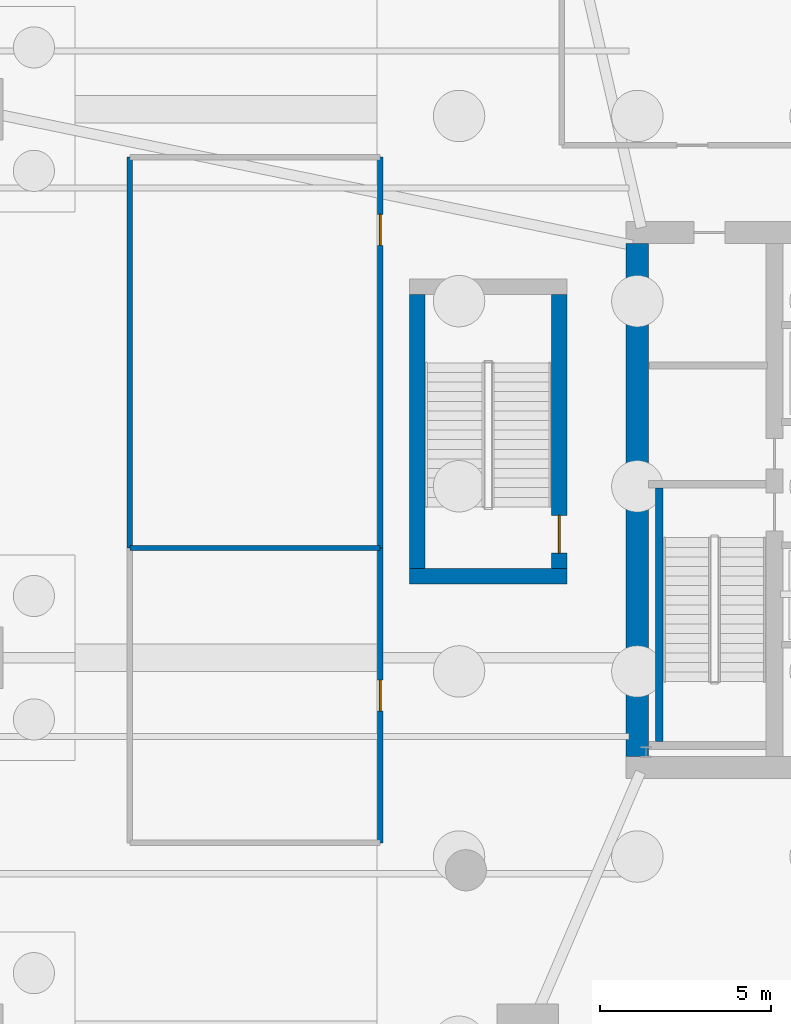
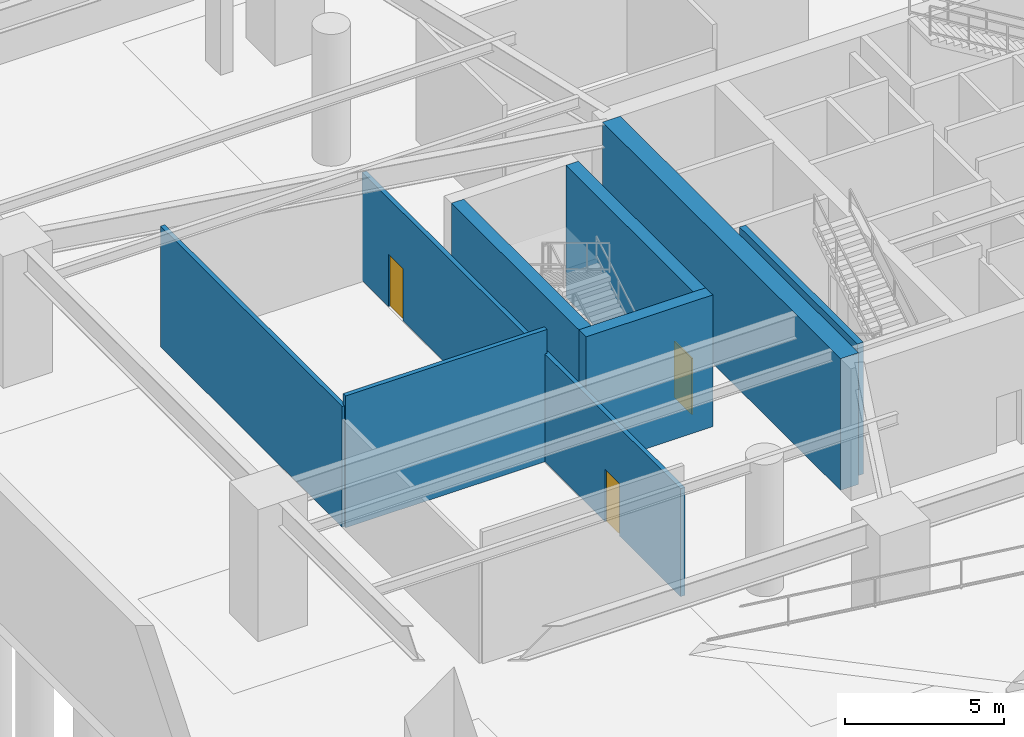
# One storey, part 4 of 11: 9 walls, 3 doors, 3 openings.
"""IFC4 building model written with IfcOpenShell, lengths in metres."""

from ifc_helpers import new_model, si_unit, direction, frame, frame_2d, origin, place, context, subcontext, project, spatial, rectangle, extrude, material, layer, layer_set, type_object, element, fill, save


model = new_model("IFC4")

# Units and contexts
model_context = context("Model", 3, precision=1e-05, world=origin(), true_north=direction((0.0, 1.0)))
body_context = subcontext(model_context, "Body", "Model", "MODEL_VIEW")
ifc_project = project(units=[si_unit("LENGTHUNIT", "METRE"), si_unit("AREAUNIT", "SQUARE_METRE"), si_unit("VOLUMEUNIT", "CUBIC_METRE"), si_unit("PLANEANGLEUNIT", "RADIAN"), si_unit("MASSUNIT", "GRAM", prefix="KILO")], contexts=[model_context])

# Site, building, storey
site_placement = place(None, origin())
site = spatial("IfcSite", under=ifc_project, at=site_placement, CompositionType="ELEMENT")
building_placement = place(site_placement, origin())
building = spatial("IfcBuilding", under=site, at=building_placement, Name="Qarnah Convention Tower", CompositionType="ELEMENT")
storey_placement = place(building_placement, frame((0.0, 0.0, -5.39990234375)))
storey = spatial("IfcBuildingStorey", under=building, at=storey_placement, Name="B1", CompositionType="ELEMENT", Elevation=-5.39990234375)

# Walls
ifc_material_1 = material(Name="Concrete C60/75", Category="concrete")
ifc_layer_1 = layer(ifc_material_1, 0.64990234375)
ifc_layer_set_1 = layer_set([ifc_layer_1], Name="Concrete C60/75")
wall_type_1 = type_object("IfcWallType", Name="WL-CORE-650", PredefinedType="SHEAR", material=ifc_layer_set_1)
wall_1_placement = place(storey_placement, frame((26.800048828125, 18.925048828125, 0.0), z_axis=(0.0, 0.0, 1.0), x_axis=(0.0, 1.0, 0.0)))
element("IfcWall", 1, at=wall_1_placement, inside=storey, type_object=wall_type_1, Name="B1 core west shear wall", PredefinedType="SHEAR", context=body_context, shape_type="SweptSolid", body=[
    extrude(rectangle(XDim=14.949951171875, YDim=0.64990234375, at=frame_2d((7.47509765625, 0.0))), origin(), (0.0, 0.0, 1.0), 5.0498046875),
])
ifc_layer_2 = layer(ifc_material_1, 0.219970703125)
ifc_layer_set_2 = layer_set([ifc_layer_2], Name="Concrete C60/75")
wall_type_2 = type_object("IfcWallType", Name="WL-CORE-STAIR-220", PredefinedType="SHEAR", material=ifc_layer_set_2)
wall_2_placement = place(storey_placement, frame((27.43994140625, 19.35009765625, 0.0), z_axis=(0.0, 0.0, 1.0), x_axis=(0.0, 1.0, 0.0)))
element("IfcWall", 2, at=wall_2_placement, inside=storey, type_object=wall_type_2, Name="B1 stair shaft shear wall SW-B1-ST1W", PredefinedType="SHEAR", context=body_context, shape_type="SweptSolid", body=[
    extrude(rectangle(XDim=7.39990234375, YDim=0.219970703125, at=frame_2d((3.699951171875, 0.0))), origin(), (0.0, 0.0, 1.0), 5.0498046875),
])

# Wall, opening, door
ifc_material_2 = material(Name="Gypsum partition board")
ifc_layer_3 = layer(ifc_material_2, 0.159912109375)
ifc_layer_set_3 = layer_set([ifc_layer_3], Name="Gypsum partition board")
wall_type_3 = type_object("IfcWallType", Name="WL-CORR-160", PredefinedType="PARTITIONING", material=ifc_layer_set_3)
wall_3_placement = place(storey_placement, frame((19.300048828125, 16.39990234375, 0.0), z_axis=(0.0, 0.0, 1.0), x_axis=(0.0, 1.0, 0.0)))
wall_3 = element("IfcWall", 3, at=wall_3_placement, inside=storey, type_object=wall_type_3, Name="B1 interior wall IW-B1-R-01", PredefinedType="PARTITIONING", context=body_context, shape_type="SweptSolid", body=[
    extrude(rectangle(XDim=8.60009765625, YDim=0.159912109375, at=frame_2d((4.300048828125, 0.0))), origin(), (0.0, 0.0, 1.0), 4.135009765625),
])
opening_1_placement = place(wall_3_placement, frame((3.85009765625, 0.0, 0.0)))
opening_1 = element("IfcOpeningElement", 4, at=opening_1_placement, cuts=wall_3, Name="Opening D-B119", PredefinedType="OPENING", context=body_context, shape_type="SweptSolid", body=[
    extrude(rectangle(XDim=0.89990234375, YDim=2.0, at=frame_2d((0.449951171875, 1.0))), frame((0.0, 0.08984375, 0.0), z_axis=(0.0, -1.0, 0.0), x_axis=(1.0, 0.0, 0.0)), (0.0, 0.0, 1.0), 0.179931640625),
])
ifc_material_3 = material(Name="Structural steel S355JR", Category="steel")
door_type_1 = type_object("IfcDoorType", Name="DT-PLANT-900", OperationType="NOTDEFINED", PredefinedType="DOOR", material=ifc_material_3)
door_1_placement = place(opening_1_placement, origin())
door_1 = element("IfcDoor", 5, at=door_1_placement, inside=storey, type_object=door_type_1, Name="Door D-B119", OperationType="SINGLE_SWING_LEFT", OverallHeight=2.0, OverallWidth=0.89990234375, PredefinedType="DOOR", context=body_context, shape_type="SweptSolid", body=[
    extrude(rectangle(XDim=0.89990234375, YDim=2.0, at=frame_2d((0.449951171875, 1.0))), frame((0.0, 0.02490234375, 0.0), z_axis=(0.0, -1.0, 0.0), x_axis=(1.0, 0.0, 0.0)), (0.0, 0.0, 1.0), 0.050048828125),
])
fill(opening_1, door_1)

# Wall
wall_4_placement = place(storey_placement, frame((19.300048828125, 25.0, 0.0), z_axis=(0.0, 0.0, 1.0), x_axis=(-1.0, 0.0, 0.0)))
element("IfcWall", 6, at=wall_4_placement, inside=storey, type_object=wall_type_3, Name="B1 interior wall IW-B1-R-02", PredefinedType="PARTITIONING", context=body_context, shape_type="SweptSolid", body=[
    extrude(rectangle(XDim=7.300048828125, YDim=0.159912109375, at=frame_2d((3.64990234375, 0.0))), origin(), (0.0, 0.0, 1.0), 5.0498046875),
])

# Wall, opening, door
wall_5_placement = place(storey_placement, frame((19.300048828125, 25.0, 0.0), z_axis=(0.0, 0.0, 1.0), x_axis=(0.0, 1.0, 0.0)))
wall_5 = element("IfcWall", 7, at=wall_5_placement, inside=storey, type_object=wall_type_3, Name="B1 interior wall IW-B1-R-05", PredefinedType="PARTITIONING", context=body_context, shape_type="SweptSolid", body=[
    extrude(rectangle(XDim=11.39990234375, YDim=0.159912109375, at=frame_2d((5.699951171875, 0.0))), origin(), (0.0, 0.0, 1.0), 4.135009765625),
])
opening_2_placement = place(wall_5_placement, frame((8.8291015625, 0.0, 0.0)))
opening_2 = element("IfcOpeningElement", 8, at=opening_2_placement, cuts=wall_5, Name="Opening D-B120", PredefinedType="OPENING", context=body_context, shape_type="SweptSolid", body=[
    extrude(rectangle(XDim=0.89990234375, YDim=2.0, at=frame_2d((0.449951171875, 1.0))), frame((0.0, 0.08984375, 0.0), z_axis=(0.0, -1.0, 0.0), x_axis=(1.0, 0.0, 0.0)), (0.0, 0.0, 1.0), 0.179931640625),
])
door_2_placement = place(opening_2_placement, origin())
door_2 = element("IfcDoor", 9, at=door_2_placement, inside=storey, type_object=door_type_1, Name="Door D-B120", OperationType="SINGLE_SWING_RIGHT", OverallHeight=2.0, OverallWidth=0.89990234375, PredefinedType="DOOR", context=body_context, shape_type="SweptSolid", body=[
    extrude(rectangle(XDim=0.89990234375, YDim=2.0, at=frame_2d((0.449951171875, 1.0))), frame((0.0, 0.02490234375, 0.0), z_axis=(0.0, -1.0, 0.0), x_axis=(1.0, 0.0, 0.0)), (0.0, 0.0, 1.0), 0.050048828125),
])
fill(opening_2, door_2)

# Walls
wall_6_placement = place(storey_placement, frame((12.0, 36.39990234375, 0.0), z_axis=(0.0, 0.0, 1.0), x_axis=(0.0, -1.0, 0.0)))
element("IfcWall", 10, at=wall_6_placement, inside=storey, type_object=wall_type_3, Name="B1 interior wall IW-B1-R-07", PredefinedType="PARTITIONING", context=body_context, shape_type="SweptSolid", body=[
    extrude(rectangle(XDim=11.39990234375, YDim=0.159912109375, at=frame_2d((5.699951171875, 0.0))), origin(), (0.0, 0.0, 1.0), 4.626953125),
])
ifc_layer_4 = layer(ifc_material_1, 0.449951171875)
ifc_layer_set_4 = layer_set([ifc_layer_4], Name="Concrete C60/75")
wall_type_4 = type_object("IfcWallType", Name="WL-POD-CORE-450", PredefinedType="SHEAR", material=ifc_layer_set_4)
wall_7_placement = place(storey_placement, frame((20.14990234375, 24.175048828125, 0.0), z_axis=(0.0, 0.0, 1.0), x_axis=(1.0, 0.0, 0.0)))
element("IfcWall", 11, at=wall_7_placement, inside=storey, type_object=wall_type_4, Name="B1 podium stair ST-5 south wall", PredefinedType="SHEAR", context=body_context, shape_type="SweptSolid", body=[
    extrude(rectangle(XDim=4.60009765625, YDim=0.449951171875, at=frame_2d((2.300048828125, 0.0))), origin(), (0.0, 0.0, 1.0), 5.0498046875),
])
wall_8_placement = place(storey_placement, frame((20.375, 24.39990234375, 0.0), z_axis=(0.0, 0.0, 1.0), x_axis=(0.0, 1.0, 0.0)))
element("IfcWall", 12, at=wall_8_placement, inside=storey, type_object=wall_type_4, Name="B1 podium stair ST-5 west wall", PredefinedType="SHEAR", context=body_context, shape_type="SweptSolid", body=[
    extrude(rectangle(XDim=8.0, YDim=0.449951171875, at=frame_2d((4.0, 0.0))), origin(), (0.0, 0.0, 1.0), 5.0498046875),
])

# Wall, opening, door
wall_9_placement = place(storey_placement, frame((24.52490234375, 24.39990234375, 0.0), z_axis=(0.0, 0.0, 1.0), x_axis=(0.0, 1.0, 0.0)))
wall_9 = element("IfcWall", 13, at=wall_9_placement, inside=storey, type_object=wall_type_4, Name="B1 podium stair ST-5 east wall", PredefinedType="SHEAR", context=body_context, shape_type="SweptSolid", body=[
    extrude(rectangle(XDim=8.0, YDim=0.449951171875, at=frame_2d((4.0, 0.0))), origin(), (0.0, 0.0, 1.0), 5.0498046875),
])
opening_3_placement = place(wall_9_placement, frame((0.449951171875, 0.0, 0.0)))
opening_3 = element("IfcOpeningElement", 14, at=opening_3_placement, cuts=wall_9, Name="Opening D-B117", PredefinedType="OPENING", context=body_context, shape_type="SweptSolid", body=[
    extrude(rectangle(XDim=1.10009765625, YDim=2.14990234375, at=frame_2d((0.550048828125, 1.074951171875))), frame((0.0, 0.23486328125, 0.0), z_axis=(0.0, -1.0, 0.0), x_axis=(1.0, 0.0, 0.0)), (0.0, 0.0, 1.0), 0.469970703125),
])
door_type_2 = type_object("IfcDoorType", Name="DT-STAIR-1100", OperationType="NOTDEFINED", PredefinedType="DOOR", material=ifc_material_3)
door_3_placement = place(opening_3_placement, origin())
door_3 = element("IfcDoor", 15, at=door_3_placement, inside=storey, type_object=door_type_2, Name="Door D-B117", OperationType="SINGLE_SWING_LEFT", OverallHeight=2.14990234375, OverallWidth=1.10009765625, PredefinedType="DOOR", context=body_context, shape_type="SweptSolid", body=[
    extrude(rectangle(XDim=1.10009765625, YDim=2.14990234375, at=frame_2d((0.550048828125, 1.074951171875))), frame((0.0, 0.02490234375, 0.0), z_axis=(0.0, -1.0, 0.0), x_axis=(1.0, 0.0, 0.0)), (0.0, 0.0, 1.0), 0.050048828125),
])
fill(opening_3, door_3)

save(model, "model.ifc")
